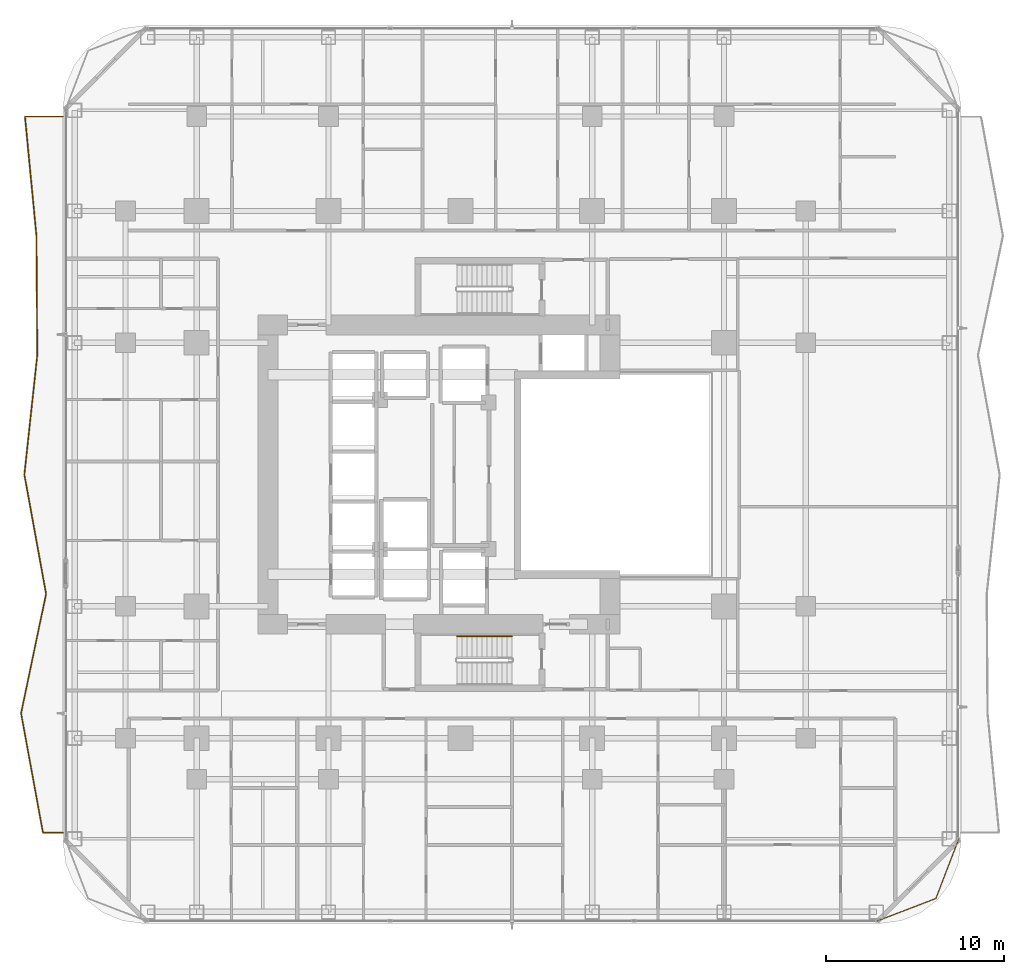
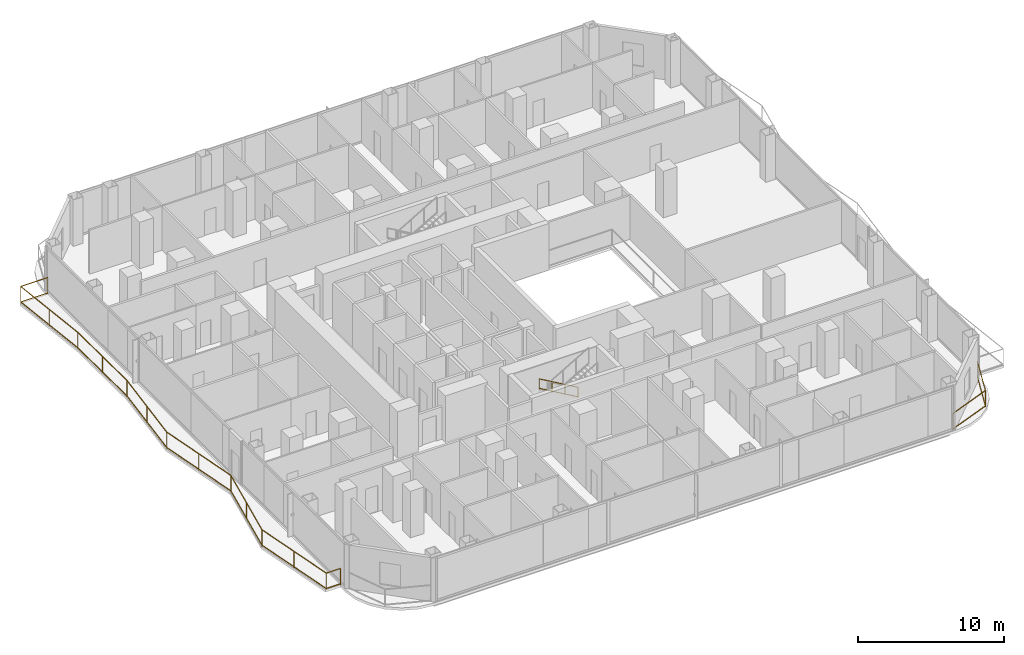
# One storey, part 27 of 30: 3 railings.
"""IFC4 building model written with IfcOpenShell, lengths in metres."""

from ifc_helpers import new_model, si_unit, direction, frame, origin, origin_2d, place, context, subcontext, project, spatial, rectangle, extrude, material, type_object, element, save


model = new_model("IFC4")

# Units and contexts
model_context = context("Model", 3, precision=1e-05, world=origin(), true_north=direction((0.0, 1.0)))
body_context = subcontext(model_context, "Body", "Model", "MODEL_VIEW")
ifc_project = project(units=[si_unit("LENGTHUNIT", "METRE"), si_unit("AREAUNIT", "SQUARE_METRE"), si_unit("VOLUMEUNIT", "CUBIC_METRE"), si_unit("PLANEANGLEUNIT", "RADIAN"), si_unit("MASSUNIT", "GRAM", prefix="KILO")], contexts=[model_context])

# Site, building, storey
site_placement = place(None, origin())
site = spatial("IfcSite", under=ifc_project, at=site_placement, CompositionType="ELEMENT")
building_placement = place(site_placement, origin())
building = spatial("IfcBuilding", under=site, at=building_placement, Name="Khorvyn Point Tower", CompositionType="ELEMENT")
storey_placement = place(building_placement, frame((0.0, 0.0, 30.60009765625)))
storey = spatial("IfcBuildingStorey", under=building, at=storey_placement, Name="L08", CompositionType="ELEMENT", Elevation=30.60009765625)

# Railings
ifc_material_1 = material(Name="Anodised aluminium 6063-T6 and laminated safety glass", Category="aluminium")
railing_type_1 = type_object("IfcRailingType", Name="Laminated Glass and Aluminium Balcony Guardrail 1400", PredefinedType="BALUSTRADE", material=ifc_material_1)
railing_1_placement = place(storey_placement, frame((23.370849609375, -25.073974609375, 0.0)))
element("IfcRailing", 1, at=railing_1_placement, inside=storey, type_object=railing_type_1, Name="L08 Rounded Corner Edge Guardrail SE", PredefinedType="BALUSTRADE", context=body_context, shape_type="SweptSolid", body=[
    extrude(rectangle(XDim=0.048095703125, YDim=0.048095703125, at=origin_2d()), frame((0.0, 0.0, 1.3759765625), z_axis=(0.933575007025, 0.358382067435, 0.0), x_axis=(-0.358382067435, 0.933575007025, 0.0)), (0.0, 0.0, 1.0), 3.562744140625),
    extrude(rectangle(XDim=0.048095703125, YDim=0.048095703125, at=origin_2d()), frame((0.0, 0.0, 0.080078125), z_axis=(0.933575007025, 0.358382067435, 0.0), x_axis=(-0.358382067435, 0.933575007025, 0.0)), (0.0, 0.0, 1.0), 3.562744140625),
    extrude(rectangle(XDim=0.048095703125, YDim=0.048095703125, at=origin_2d()), frame((3.326171875, 1.27685546875, 1.3759765625), z_axis=(0.35841886047, 0.933560882031, 0.0), x_axis=(-0.933560882031, 0.35841886047, 0.0)), (0.0, 0.0, 1.0), 3.563232421875),
    extrude(rectangle(XDim=0.048095703125, YDim=0.048095703125, at=origin_2d()), frame((3.326171875, 1.27685546875, 0.080078125), z_axis=(0.35841886047, 0.933560882031, 0.0), x_axis=(-0.933560882031, 0.35841886047, 0.0)), (0.0, 0.0, 1.0), 3.563232421875),
    extrude(rectangle(XDim=0.0419921875, YDim=0.0419921875, at=origin_2d()), origin(), (0.0, 0.0, 1.0), 1.351806640625),
    extrude(rectangle(XDim=0.0419921875, YDim=0.0419921875, at=origin_2d()), frame((3.326171875, 1.27685546875, 0.0)), (0.0, 0.0, 1.0), 1.351806640625),
    extrude(rectangle(XDim=0.0419921875, YDim=0.0419921875, at=origin_2d()), frame((4.603271484375, 4.603271484375, 0.0)), (0.0, 0.0, 1.0), 1.351806640625),
])
railing_2_placement = place(storey_placement, frame((-22.300048828125, 20.10009765625, 0.0)))
element("IfcRailing", 2, at=railing_2_placement, inside=storey, type_object=railing_type_1, Name="L08 West Balcony Guardrail", PredefinedType="BALUSTRADE", context=body_context, shape_type="SweptSolid", body=[
    extrude(rectangle(XDim=0.048095703125, YDim=0.048095703125, at=origin_2d()), frame((0.0, 0.0, 1.3759765625), z_axis=(-1.0, 0.0, 0.0), x_axis=(0.0, -1.0, 0.0)), (0.0, 0.0, 1.0), 2.142578125),
    extrude(rectangle(XDim=0.048095703125, YDim=0.048095703125, at=origin_2d()), frame((0.0, 0.0, 0.080078125), z_axis=(-1.0, 0.0, 0.0), x_axis=(0.0, -1.0, 0.0)), (0.0, 0.0, 1.0), 2.142578125),
    extrude(rectangle(XDim=0.048095703125, YDim=0.048095703125, at=origin_2d()), frame((-2.142578125, 0.0, 1.3759765625), z_axis=(0.095825748596, -0.995398124323, 0.0), x_axis=(0.995398124323, 0.095825748596, 0.0)), (0.0, 0.0, 1.0), 6.731201171875),
    extrude(rectangle(XDim=0.048095703125, YDim=0.048095703125, at=origin_2d()), frame((-2.142578125, 0.0, 0.080078125), z_axis=(0.095825748596, -0.995398124323, 0.0), x_axis=(0.995398124323, 0.095825748596, 0.0)), (0.0, 0.0, 1.0), 6.731201171875),
    extrude(rectangle(XDim=0.048095703125, YDim=0.048095703125, at=origin_2d()), frame((-1.49755859375, -6.7001953125, 1.3759765625), z_axis=(0.006850402242, -0.999976535719, 0.0), x_axis=(0.999976535719, 0.006850402242, 0.0)), (0.0, 0.0, 1.0), 6.7001953125),
    extrude(rectangle(XDim=0.048095703125, YDim=0.048095703125, at=origin_2d()), frame((-1.49755859375, -6.7001953125, 0.080078125), z_axis=(0.006850402242, -0.999976535719, 0.0), x_axis=(0.999976535719, 0.006850402242, 0.0)), (0.0, 0.0, 1.0), 6.7001953125),
    extrude(rectangle(XDim=0.048095703125, YDim=0.048095703125, at=origin_2d()), frame((-1.45166015625, -13.400146484375, 1.3759765625), z_axis=(-0.107596044298, -0.994194694842, 0.0), x_axis=(0.994194694842, -0.107596044298, 0.0)), (0.0, 0.0, 1.0), 6.739013671875),
    extrude(rectangle(XDim=0.048095703125, YDim=0.048095703125, at=origin_2d()), frame((-1.45166015625, -13.400146484375, 0.080078125), z_axis=(-0.107596044298, -0.994194694842, 0.0), x_axis=(0.994194694842, -0.107596044298, 0.0)), (0.0, 0.0, 1.0), 6.739013671875),
    extrude(rectangle(XDim=0.048095703125, YDim=0.048095703125, at=origin_2d()), frame((-2.1767578125, -20.10009765625, 1.3759765625), z_axis=(0.179106269286, -0.98382973339, 0.0), x_axis=(0.98382973339, 0.179106269286, 0.0)), (0.0, 0.0, 1.0), 6.81005859375),
    extrude(rectangle(XDim=0.048095703125, YDim=0.048095703125, at=origin_2d()), frame((-2.1767578125, -20.10009765625, 0.080078125), z_axis=(0.179106269286, -0.98382973339, 0.0), x_axis=(0.98382973339, 0.179106269286, 0.0)), (0.0, 0.0, 1.0), 6.81005859375),
    extrude(rectangle(XDim=0.048095703125, YDim=0.048095703125, at=origin_2d()), frame((-0.95703125, -26.800048828125, 1.3759765625), z_axis=(-0.204969631985, -0.978768333143, 0.0), x_axis=(0.978768333143, -0.204969631985, 0.0)), (0.0, 0.0, 1.0), 6.84521484375),
    extrude(rectangle(XDim=0.048095703125, YDim=0.048095703125, at=origin_2d()), frame((-0.95703125, -26.800048828125, 0.080078125), z_axis=(-0.204969631985, -0.978768333143, 0.0), x_axis=(0.978768333143, -0.204969631985, 0.0)), (0.0, 0.0, 1.0), 6.84521484375),
    extrude(rectangle(XDim=0.048095703125, YDim=0.048095703125, at=origin_2d()), frame((-2.360107421875, -33.5, 1.3759765625), z_axis=(0.180348673749, -0.983602742919, 0.0), x_axis=(0.983602742919, 0.180348673749, 0.0)), (0.0, 0.0, 1.0), 6.81201171875),
    extrude(rectangle(XDim=0.048095703125, YDim=0.048095703125, at=origin_2d()), frame((-2.360107421875, -33.5, 0.080078125), z_axis=(0.180348673749, -0.983602742919, 0.0), x_axis=(0.983602742919, 0.180348673749, 0.0)), (0.0, 0.0, 1.0), 6.81201171875),
    extrude(rectangle(XDim=0.048095703125, YDim=0.048095703125, at=origin_2d()), frame((-1.131591796875, -40.2001953125, 1.3759765625), z_axis=(1.0, 0.0, 0.0), x_axis=(0.0, 1.0, 0.0)), (0.0, 0.0, 1.0), 1.131591796875),
    extrude(rectangle(XDim=0.048095703125, YDim=0.048095703125, at=origin_2d()), frame((-1.131591796875, -40.2001953125, 0.080078125), z_axis=(1.0, 0.0, 0.0), x_axis=(0.0, 1.0, 0.0)), (0.0, 0.0, 1.0), 1.131591796875),
    extrude(rectangle(XDim=0.0419921875, YDim=0.0419921875, at=origin_2d()), origin(), (0.0, 0.0, 1.0), 1.351806640625),
    extrude(rectangle(XDim=0.0419921875, YDim=0.0419921875, at=origin_2d()), frame((-2.142578125, 0.0, 0.0)), (0.0, 0.0, 1.0), 1.351806640625),
    extrude(rectangle(XDim=0.0419921875, YDim=0.0419921875, at=origin_2d()), frame((-1.820068359375, -3.35009765625, 0.0)), (0.0, 0.0, 1.0), 1.351806640625),
    extrude(rectangle(XDim=0.0419921875, YDim=0.0419921875, at=origin_2d()), frame((-1.49755859375, -6.7001953125, 0.0)), (0.0, 0.0, 1.0), 1.351806640625),
    extrude(rectangle(XDim=0.0419921875, YDim=0.0419921875, at=origin_2d()), frame((-1.474609375, -10.05029296875, 0.0)), (0.0, 0.0, 1.0), 1.351806640625),
    extrude(rectangle(XDim=0.0419921875, YDim=0.0419921875, at=origin_2d()), frame((-1.45166015625, -13.400146484375, 0.0)), (0.0, 0.0, 1.0), 1.351806640625),
    extrude(rectangle(XDim=0.0419921875, YDim=0.0419921875, at=origin_2d()), frame((-1.814208984375, -16.75, 0.0)), (0.0, 0.0, 1.0), 1.351806640625),
    extrude(rectangle(XDim=0.0419921875, YDim=0.0419921875, at=origin_2d()), frame((-2.1767578125, -20.10009765625, 0.0)), (0.0, 0.0, 1.0), 1.351806640625),
    extrude(rectangle(XDim=0.0419921875, YDim=0.0419921875, at=origin_2d()), frame((-1.56689453125, -23.4501953125, 0.0)), (0.0, 0.0, 1.0), 1.351806640625),
    extrude(rectangle(XDim=0.0419921875, YDim=0.0419921875, at=origin_2d()), frame((-0.95703125, -26.800048828125, 0.0)), (0.0, 0.0, 1.0), 1.351806640625),
    extrude(rectangle(XDim=0.0419921875, YDim=0.0419921875, at=origin_2d()), frame((-1.65869140625, -30.14990234375, 0.0)), (0.0, 0.0, 1.0), 1.351806640625),
    extrude(rectangle(XDim=0.0419921875, YDim=0.0419921875, at=origin_2d()), frame((-2.360107421875, -33.5, 0.0)), (0.0, 0.0, 1.0), 1.351806640625),
    extrude(rectangle(XDim=0.0419921875, YDim=0.0419921875, at=origin_2d()), frame((-1.745849609375, -36.85009765625, 0.0)), (0.0, 0.0, 1.0), 1.351806640625),
    extrude(rectangle(XDim=0.0419921875, YDim=0.0419921875, at=origin_2d()), frame((-1.131591796875, -40.2001953125, 0.0)), (0.0, 0.0, 1.0), 1.351806640625),
    extrude(rectangle(XDim=0.0419921875, YDim=0.0419921875, at=origin_2d()), frame((0.0, -40.2001953125, 0.0)), (0.0, 0.0, 1.0), 1.351806640625),
])
ifc_material_2 = material(Name="Stainless steel 1.4301", Category="steel")
railing_type_2 = type_object("IfcRailingType", Name="Stainless Steel 304 Stair Pitch Handrail 900", PredefinedType="HANDRAIL", material=ifc_material_2)
railing_3_placement = place(storey_placement, frame((2.89990234375, -9.070068359375, 0.162353515625)))
element("IfcRailing", 3, at=railing_3_placement, inside=storey, type_object=railing_type_2, Name="L08 ST-01 stair handrail 1", PredefinedType="HANDRAIL", context=body_context, shape_type="SweptSolid", body=[
    extrude(rectangle(XDim=0.048095703125, YDim=0.048095703125, at=origin_2d()), frame((0.0, 0.0, 0.8759765625), z_axis=(-0.864873446163, 0.0, 0.501989962173), x_axis=(0.0, -1.0, 0.0)), (0.0, 0.0, 1.0), 3.56103515625),
    extrude(rectangle(XDim=0.048095703125, YDim=0.048095703125, at=origin_2d()), frame((0.0, 0.0, 0.080078125), z_axis=(-0.864873446163, 0.0, 0.501989962173), x_axis=(0.0, -1.0, 0.0)), (0.0, 0.0, 1.0), 3.56103515625),
    extrude(rectangle(XDim=0.0419921875, YDim=0.0419921875, at=origin_2d()), origin(), (0.0, 0.0, 1.0), 0.851806640625),
    extrude(rectangle(XDim=0.0419921875, YDim=0.0419921875, at=origin_2d()), frame((-1.026611328125, 0.0, 0.595947265625)), (0.0, 0.0, 1.0), 0.851806640625),
    extrude(rectangle(XDim=0.0419921875, YDim=0.0419921875, at=origin_2d()), frame((-2.05322265625, 0.0, 1.191650390625)), (0.0, 0.0, 1.0), 0.851806640625),
    extrude(rectangle(XDim=0.0419921875, YDim=0.0419921875, at=origin_2d()), frame((-3.079833984375, 0.0, 1.78759765625)), (0.0, 0.0, 1.0), 0.851806640625),
])

save(model, "model.ifc")
